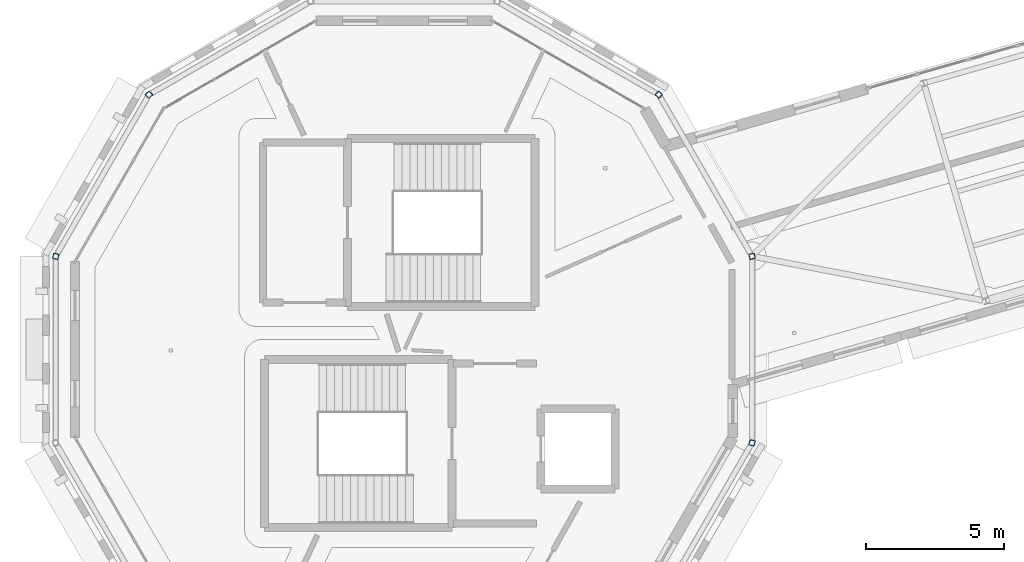
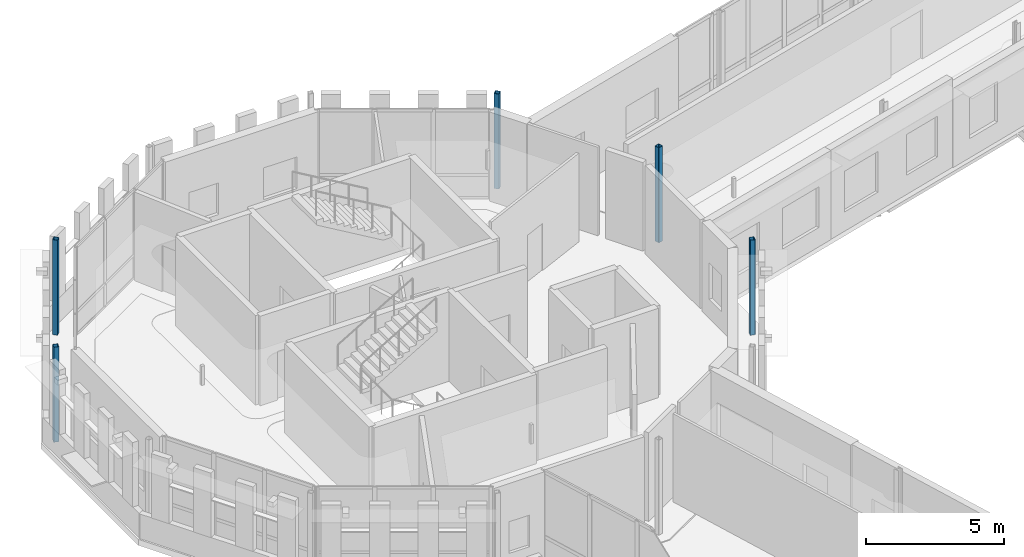
# One storey, part 10 of 125: 5 columns.
"""IFC4 building model written with IfcOpenShell, lengths in metres."""

from ifc_helpers import new_model, si_unit, direction, frame, origin, origin_2d, place, context, subcontext, project, spatial, hollow_rectangle, extrude, material, material_profile, profile_set, type_object, element, save


model = new_model("IFC4")

# Units and contexts
model_context = context("Model", 3, precision=1e-05, world=origin(), true_north=direction((0.0, 1.0)))
body_context = subcontext(model_context, "Body", "Model", "MODEL_VIEW")
ifc_project = project(units=[si_unit("LENGTHUNIT", "METRE"), si_unit("AREAUNIT", "SQUARE_METRE"), si_unit("VOLUMEUNIT", "CUBIC_METRE"), si_unit("PLANEANGLEUNIT", "RADIAN"), si_unit("MASSUNIT", "GRAM", prefix="KILO")], contexts=[model_context])

# Site, building, storey
site_placement = place(None, origin())
site = spatial("IfcSite", under=ifc_project, at=site_placement, CompositionType="ELEMENT")
building_placement = place(site_placement, origin())
building = spatial("IfcBuilding", under=site, at=building_placement, Name="Wrenclough Park School", CompositionType="ELEMENT")
storey_placement = place(building_placement, frame((0.0, 0.0, 4.199951171875)))
storey = spatial("IfcBuildingStorey", under=building, at=storey_placement, Name="L01", CompositionType="ELEMENT", Elevation=4.199951171875)

# Columns
ifc_material = material(Name="Structural steel S355", Category="steel")
ifc_material_profile = material_profile(ifc_material, hollow_rectangle(XDim=0.199951171875, YDim=0.199951171875, WallThickness=0.012451171875, InnerFilletRadius=0.012451171875, OuterFilletRadius=0.018798828125, at=origin_2d()), Name="SHS 200x200x12.5")
ifc_profile_set = profile_set([ifc_material_profile], Name="Structural steel S355")
column_type = type_object("IfcColumnType", Name="STR-COL-SHS200", PredefinedType="COLUMN", material=ifc_profile_set)
for number, where, z_axis, x_axis, name in (
    (1, (29.105224609375, 92.877685546875, 0.0), (0.0, 0.0, 1.0), (-0.258819045103, 0.965925826289, 0.0), "D3 L01 column D3-OUT-01"),
    (2, (25.727783203125, 98.727783203125, 0.0), (0.0, 0.0, 1.0), (-0.707106781187, 0.707106781187, 0.0), "D3 L01 column D3-OUT-02"),
    (3, (7.272216796875, 98.727783203125, 0.0), (0.0, 0.0, 1.0), (-0.707106781187, -0.707106781187, 0.0), "D3 L01 column D3-OUT-05"),
    (4, (3.894775390625, 92.877685546875, 0.0), (0.0, 0.0, 1.0), (-0.258819045103, -0.965925826289, 0.0), "D3 L01 column D3-OUT-06"),
    (5, (29.105224609375, 86.122314453125, 0.0), (0.0, 0.0, 1.0), (0.258819045103, 0.965925826289, 0.0), "D3 L01 column D3-OUT-12"),
):
    element("IfcColumn", number, at=place(storey_placement, frame(where, z_axis=z_axis, x_axis=x_axis)), inside=storey, type_object=column_type, Name=name, PredefinedType="COLUMN", context=body_context, shape_type="SweptSolid", body=[
        extrude(hollow_rectangle(XDim=0.199951171875, YDim=0.199951171875, WallThickness=0.012451171875, InnerFilletRadius=0.012451171875, OuterFilletRadius=0.018798828125, at=origin_2d()), origin(), (0.0, 0.0, 1.0), 4.199951171875),
    ])

save(model, "model.ifc")
